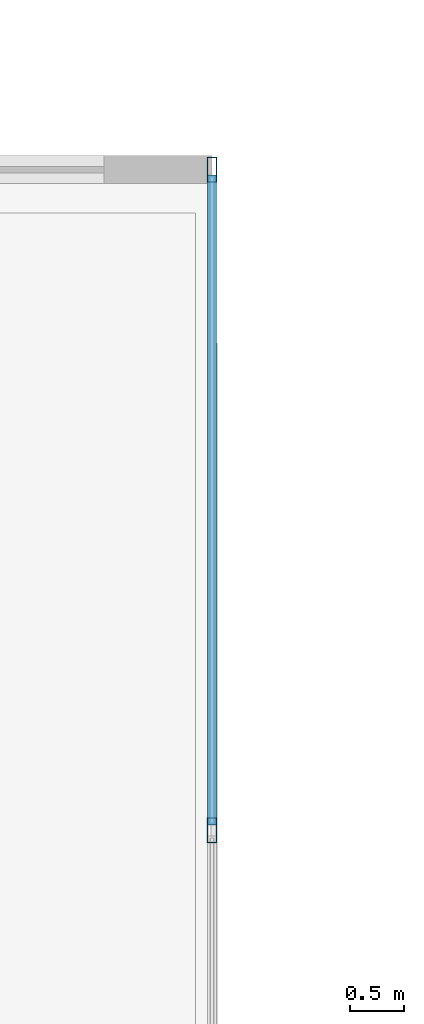
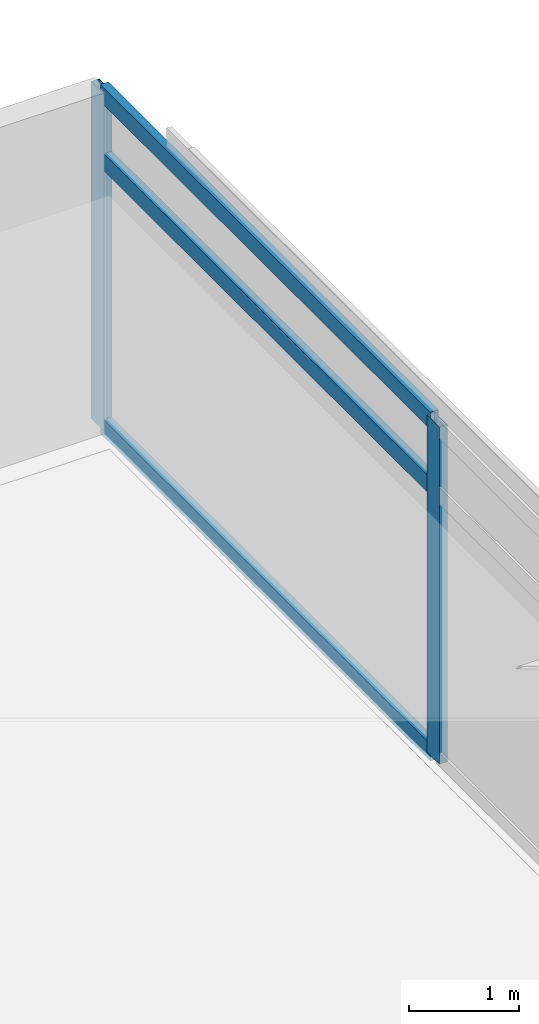
# One storey, part 12 of 21: 5 members, 1 element without a shape of its own.
"""IFC4 building model written with IfcOpenShell, lengths in metres."""

import ifcopenshell
import ifcopenshell.guid

model = None  # the IFC model being written
_history = None  # IfcOwnerHistory: only IFC2X3 demands one
_inside = {}  # id of a spatial element -> (the spatial element, [elements in it])
_under = {}  # id of a project, library or spatial element -> (it, [spatial elements below it])
_declared = {}  # id of a project -> (the project, [libraries it declares])
_typed = {}  # id of a type object -> (the type object, [elements of that type])
_made_of = {}  # id of a material, layer set ... -> (it, [elements and type objects made of it])


def new_model(schema):
    """Start an empty IFC model of exactly this schema.

    Asked for "IFC4X3", IfcOpenShell would pick the latest addendum, in which some entities
    have other attributes; the version numbers below select the first issue.
    IFC2X3 requires an IfcOwnerHistory on every rooted entity: one is made here for all.
    """
    global model, _history
    if schema == "IFC4X3":
        model = ifcopenshell.file(schema_version=(4, 3, 0, 0))
    else:
        model = ifcopenshell.file(schema=schema)
    _inside.clear()
    _under.clear()
    _declared.clear()
    _typed.clear()
    _made_of.clear()
    _history = None
    if model.schema == "IFC2X3":
        org = make("IfcOrganization", Name="unknown")
        user = make(
            "IfcPersonAndOrganization",
            ThePerson=make("IfcPerson", FamilyName="unknown"),
            TheOrganization=org,
        )
        app = make(
            "IfcApplication",
            ApplicationDeveloper=org,
            Version="unknown",
            ApplicationFullName="unknown",
            ApplicationIdentifier="unknown",
        )
        _history = make(
            "IfcOwnerHistory",
            OwningUser=user,
            OwningApplication=app,
            ChangeAction="ADDED",
            CreationDate=0,
        )
    return model


def make(cls, **values):
    """One entity of the class cls with the attributes given. An attribute that is None is left unset."""
    return model.create_entity(
        cls, **{name: value for name, value in values.items() if value is not None}
    )


def rooted(cls, **values):
    """An entity with a GlobalId (a new one), such as an element, a storey or a relation."""
    return make(cls, GlobalId=ifcopenshell.guid.new(), OwnerHistory=_history, **values)


def si_unit(unit_type, name, prefix=None):
    """IfcSIUnit, for example si_unit("LENGTHUNIT", "METRE", prefix="MILLI")."""
    return make("IfcSIUnit", UnitType=unit_type, Prefix=prefix, Name=name)


def assignment(units):
    """IfcUnitAssignment: the units of a project."""
    return None if units is None else make("IfcUnitAssignment", Units=units)


def point(xyz):
    """IfcCartesianPoint."""
    return None if xyz is None else make("IfcCartesianPoint", Coordinates=xyz)


def direction(xyz):
    """IfcDirection."""
    return None if xyz is None else make("IfcDirection", DirectionRatios=xyz)


def frame(location, z_axis=None, x_axis=None):
    """IfcAxis2Placement3D, a coordinate frame: its origin and axes. An axis left out is left unset."""
    return make(
        "IfcAxis2Placement3D",
        Location=point(location),
        Axis=direction(z_axis),
        RefDirection=direction(x_axis),
    )


def frame_2d(location, x_axis=None):
    """IfcAxis2Placement2D, a coordinate frame in the plane: its origin and x axis."""
    return make(
        "IfcAxis2Placement2D", Location=point(location), RefDirection=direction(x_axis)
    )


def origin():
    """The frame at (0, 0, 0) with its axes left unset."""
    return frame((0.0, 0.0, 0.0))


def origin_2d():
    """The frame at (0, 0) in the plane with its x axis left unset."""
    return frame_2d((0.0, 0.0))


def place(relative_to, where):
    """IfcLocalPlacement: puts the frame where relative to a parent placement (None: the world)."""
    return make(
        "IfcLocalPlacement", PlacementRelTo=relative_to, RelativePlacement=where
    )


def context(
    kind, dimensions, precision=None, world=None, true_north=None, identifier=None
):
    """IfcGeometricRepresentationContext, for example the 3D "Model" context."""
    return make(
        "IfcGeometricRepresentationContext",
        ContextIdentifier=identifier,
        ContextType=kind,
        CoordinateSpaceDimension=dimensions,
        Precision=precision,
        WorldCoordinateSystem=world,
        TrueNorth=true_north,
    )


def subcontext(parent, identifier, kind, view, scale=None):
    """IfcGeometricRepresentationSubContext, for example "Body" below "Model"."""
    return make(
        "IfcGeometricRepresentationSubContext",
        ContextIdentifier=identifier,
        ContextType=kind,
        ParentContext=parent,
        TargetScale=scale,
        TargetView=view,
    )


def project(units=None, contexts=None):
    """IfcProject with its units and contexts."""
    return rooted(
        "IfcProject",
        Name="project",
        RepresentationContexts=contexts,
        UnitsInContext=assignment(units),
    )


def spatial(cls, under=None, at=None, **own):
    """A site, building, storey or space (cls), placed at a placement, below another one or the project."""
    s = rooted(cls, ObjectPlacement=at, **own)
    if under is not None:
        _under.setdefault(under.id(), (under, []))[1].append(s)
    return s


def profile(cls, at=None, kind="AREA", **sizes):
    """A parametric profile (cls). Its sizes go by their IFC names, for example OverallWidth=200.0."""
    return make(cls, ProfileType=kind, Position=at, **sizes)


def hollow_rectangle(**sizes):
    """IfcRectangleHollowProfileDef."""
    return profile("IfcRectangleHollowProfileDef", **sizes)


def extrude(swept, where, along, depth):
    """IfcExtrudedAreaSolid: the profile swept, set in the frame where, extruded along a direction by depth."""
    return make(
        "IfcExtrudedAreaSolid",
        SweptArea=swept,
        Position=where,
        ExtrudedDirection=direction(along),
        Depth=depth,
    )


def shape(context_of_items, identifier, shape_type, items):
    """IfcShapeRepresentation: the items that make up one representation, for example the "Body"."""
    return make(
        "IfcShapeRepresentation",
        ContextOfItems=context_of_items,
        RepresentationIdentifier=identifier,
        RepresentationType=shape_type,
        Items=items,
    )


def material(Name=None, Category=None):
    """IfcMaterial."""
    return make("IfcMaterial", Name=Name, Category=Category)


def material_profile(
    of_material, cross_section, Name=None, Category=None, Priority=None
):
    """IfcMaterialProfile: a cross section and its material."""
    return make(
        "IfcMaterialProfile",
        Name=Name,
        Material=of_material,
        Profile=cross_section,
        Priority=Priority,
        Category=Category,
    )


def profile_set(profiles, Name=None, composite=None):
    """IfcMaterialProfileSet."""
    return make(
        "IfcMaterialProfileSet",
        Name=Name,
        MaterialProfiles=profiles,
        CompositeProfile=composite,
    )


def made_of(thing, what):
    """Note that an element or type object is made of a material, layer set ...; save() writes the relation."""
    if what is not None:
        _made_of.setdefault(what.id(), (what, []))[1].append(thing)
    return thing


def type_object(cls, material=None, **own):
    """A type object (cls), such as IfcWallType, which elements share."""
    return made_of(rooted(cls, **own), material)


def element(
    cls,
    number,
    at=None,
    inside=None,
    cuts=None,
    type_object=None,
    material=None,
    context=None,
    identifier="Body",
    shape_type=None,
    held_by="IfcProductDefinitionShape",
    body=None,
    shapes=None,
    **own,
):
    """One element of the class cls, such as IfcWall. Its Tag is "e" and its number.

    at: its placement. inside: the storey or other place that contains it. cuts: it is an
    opening in that element (IfcRelVoidsElement). A single representation is given by context,
    identifier, shape_type and body (its items); several are given by shapes. held_by: the class
    of the entity that holds the representations. save() writes the other relations.
    """
    e = rooted(cls, Tag="e%d" % number, ObjectPlacement=at, **own)
    if body is not None:
        shapes = [shape(context, identifier, shape_type, body)]
    if shapes is not None:
        e.Representation = make(held_by, Representations=shapes)
    if inside is not None:
        _inside.setdefault(inside.id(), (inside, []))[1].append(e)
    if cuts is not None:
        rooted(
            "IfcRelVoidsElement", RelatingBuildingElement=cuts, RelatedOpeningElement=e
        )
    if type_object is not None:
        _typed.setdefault(type_object.id(), (type_object, []))[1].append(e)
    return made_of(e, material)


def aggregate(whole, parts):
    """IfcRelAggregates: a whole, such as a stair, and the parts it consists of."""
    return rooted("IfcRelAggregates", RelatingObject=whole, RelatedObjects=parts)


def save(model, path):
    """Write the relations noted so far, then the file.

    IfcRelAggregates (storeys below a building ...), IfcRelContainedInSpatialStructure (elements
    in a storey), IfcRelDefinesByType, IfcRelAssociatesMaterial and IfcRelDeclares: one each for
    every whole, place, type object, material and project.
    """
    for whole, parts in _under.values():
        aggregate(whole, parts)
    for where, things in _inside.values():
        rooted(
            "IfcRelContainedInSpatialStructure",
            RelatedElements=things,
            RelatingStructure=where,
        )
    for kind, things in _typed.values():
        rooted("IfcRelDefinesByType", RelatedObjects=things, RelatingType=kind)
    for what, things in _made_of.values():
        rooted("IfcRelAssociatesMaterial", RelatedObjects=things, RelatingMaterial=what)
    for by, libraries in _declared.values():
        rooted("IfcRelDeclares", RelatingContext=by, RelatedDefinitions=libraries)
    model.write(path)


model = new_model("IFC4")

# Units and contexts
model_context = context("Model", 3, precision=1e-05, world=origin(), true_north=direction((0.0, 1.0)))
body_context = subcontext(model_context, "Body", "Model", "MODEL_VIEW")
ifc_project = project(units=[si_unit("LENGTHUNIT", "METRE"), si_unit("AREAUNIT", "SQUARE_METRE"), si_unit("VOLUMEUNIT", "CUBIC_METRE"), si_unit("PLANEANGLEUNIT", "RADIAN"), si_unit("MASSUNIT", "GRAM", prefix="KILO")], contexts=[model_context])

# Site, building, storey
site_placement = place(None, origin())
site = spatial("IfcSite", under=ifc_project, at=site_placement, CompositionType="ELEMENT")
building_placement = place(site_placement, origin())
building = spatial("IfcBuilding", under=site, at=building_placement, Name="Kovane Verandah Tower", CompositionType="ELEMENT")
storey_placement = place(building_placement, frame((0.0, 0.0, 326.800048828125)))
storey = spatial("IfcBuildingStorey", under=building, at=storey_placement, Name="L76", CompositionType="ELEMENT", Elevation=326.800048828125)

# Curtain wall, members
ifc_material_1 = material(Name="Champagne Anodised Aluminium Frame with Low-E Clear Laminated Glass", Category="aluminium")
curtain_wall_type = type_object("IfcCurtainWallType", Name="CW-SYS-05-HIGH", PredefinedType="NOTDEFINED", material=ifc_material_1)
curtain_wall_placement = place(storey_placement, origin())
curtain_wall = element("IfcCurtainWall", 1, at=curtain_wall_placement, inside=storey, type_object=curtain_wall_type, Name="L76 E Unitised Curtain Wall", PredefinedType="NOTDEFINED")
ifc_material_2 = material(Name="Champagne Anodised Aluminium 6063-T6", Category="aluminium")
ifc_material_profile_1 = material_profile(ifc_material_2, hollow_rectangle(XDim=0.0849609375, YDim=0.22998046875, WallThickness=0.00390625, at=origin_2d()), Name="AL85x230x4")
ifc_profile_set_1 = profile_set([ifc_material_profile_1], Name="Champagne Anodised Aluminium 6063-T6")
member_type_1 = type_object("IfcMemberType", Name="CW-MUL-85x230", PredefinedType="MULLION", material=ifc_profile_set_1)
member_1_placement = place(storey_placement, frame((64.83154296875, 39.71044921875, 0.02001953125), z_axis=(0.0, 0.0, 1.0), x_axis=(1.0, 0.0, 0.0)))
member_1 = element("IfcMember", 2, at=member_1_placement, type_object=member_type_1, Name="L76 E Unitised Curtain Wall Mullion 6", PredefinedType="MULLION", context=body_context, shape_type="SweptSolid", body=[
    extrude(hollow_rectangle(XDim=0.0849609375, YDim=0.22998046875, WallThickness=0.00390625, at=origin_2d()), origin(), (0.0, 0.0, 1.0), 3.744873046875),
])
member_2_placement = place(storey_placement, frame((64.83154296875, 45.815673828125, 0.02001953125), z_axis=(0.0, 0.0, 1.0), x_axis=(1.0, 0.0, 0.0)))
member_2 = element("IfcMember", 3, at=member_2_placement, type_object=member_type_1, Name="L76 E Unitised Curtain Wall Mullion 7", PredefinedType="MULLION", context=body_context, shape_type="SweptSolid", body=[
    extrude(hollow_rectangle(XDim=0.0849609375, YDim=0.22998046875, WallThickness=0.00390625, at=origin_2d()), origin(), (0.0, 0.0, 1.0), 3.744873046875),
])
ifc_material_profile_2 = material_profile(ifc_material_2, hollow_rectangle(XDim=0.0849609375, YDim=0.18994140625, WallThickness=0.00390625, at=origin_2d()), Name="AL85x190x4")
ifc_profile_set_2 = profile_set([ifc_material_profile_2], Name="Champagne Anodised Aluminium 6063-T6")
member_type_2 = type_object("IfcMemberType", Name="CW-TRN-85x190", PredefinedType="USERDEFINED", material=ifc_profile_set_2)
member_3_placement = place(storey_placement, frame((64.83154296875, 39.760498046875, 0.050048828125), z_axis=(0.0, 1.0, 0.0), x_axis=(-1.0, 0.0, 0.0)))
member_3 = element("IfcMember", 4, at=member_3_placement, type_object=member_type_2, Name="L76 E Unitised Curtain Wall Transom TB Bay 6", ObjectType="TRANSOM", PredefinedType="USERDEFINED", context=body_context, shape_type="SweptSolid", body=[
    extrude(hollow_rectangle(XDim=0.0849609375, YDim=0.18994140625, WallThickness=0.00390625, at=origin_2d()), origin(), (0.0, 0.0, 1.0), 6.005126953125),
])
member_4_placement = place(storey_placement, frame((64.83154296875, 39.760498046875, 3.0048828125), z_axis=(0.0, 1.0, 0.0), x_axis=(-1.0, 0.0, 0.0)))
member_4 = element("IfcMember", 5, at=member_4_placement, type_object=member_type_2, Name="L76 E Unitised Curtain Wall Transom TM Bay 6", ObjectType="TRANSOM", PredefinedType="USERDEFINED", context=body_context, shape_type="SweptSolid", body=[
    extrude(hollow_rectangle(XDim=0.0849609375, YDim=0.18994140625, WallThickness=0.00390625, at=origin_2d()), origin(), (0.0, 0.0, 1.0), 6.005126953125),
])
member_5_placement = place(storey_placement, frame((64.83154296875, 39.760498046875, 3.73486328125), z_axis=(0.0, 1.0, 0.0), x_axis=(-1.0, 0.0, 0.0)))
member_5 = element("IfcMember", 6, at=member_5_placement, type_object=member_type_2, Name="L76 E Unitised Curtain Wall Transom TT Bay 6", ObjectType="TRANSOM", PredefinedType="USERDEFINED", context=body_context, shape_type="SweptSolid", body=[
    extrude(hollow_rectangle(XDim=0.0849609375, YDim=0.18994140625, WallThickness=0.00390625, at=origin_2d()), origin(), (0.0, 0.0, 1.0), 6.005126953125),
])
aggregate(curtain_wall, [member_1, member_2, member_3, member_4, member_5])

save(model, "model.ifc")
